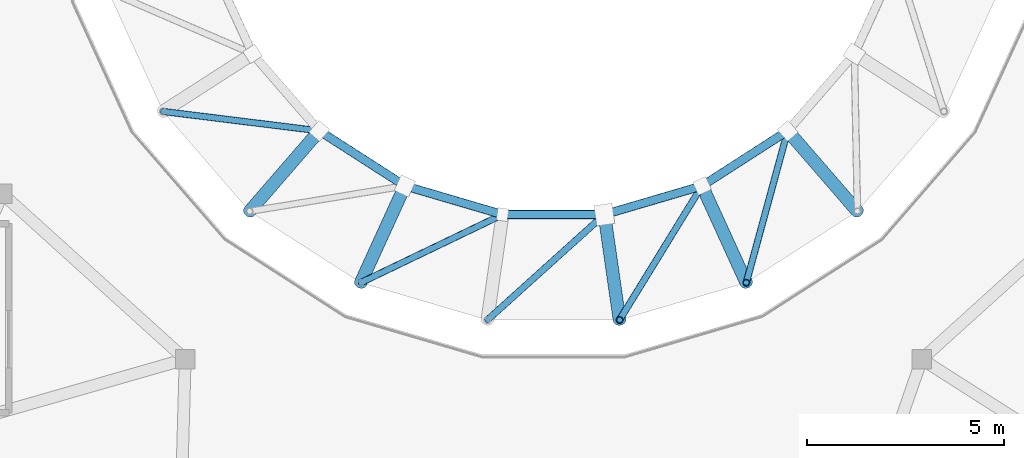
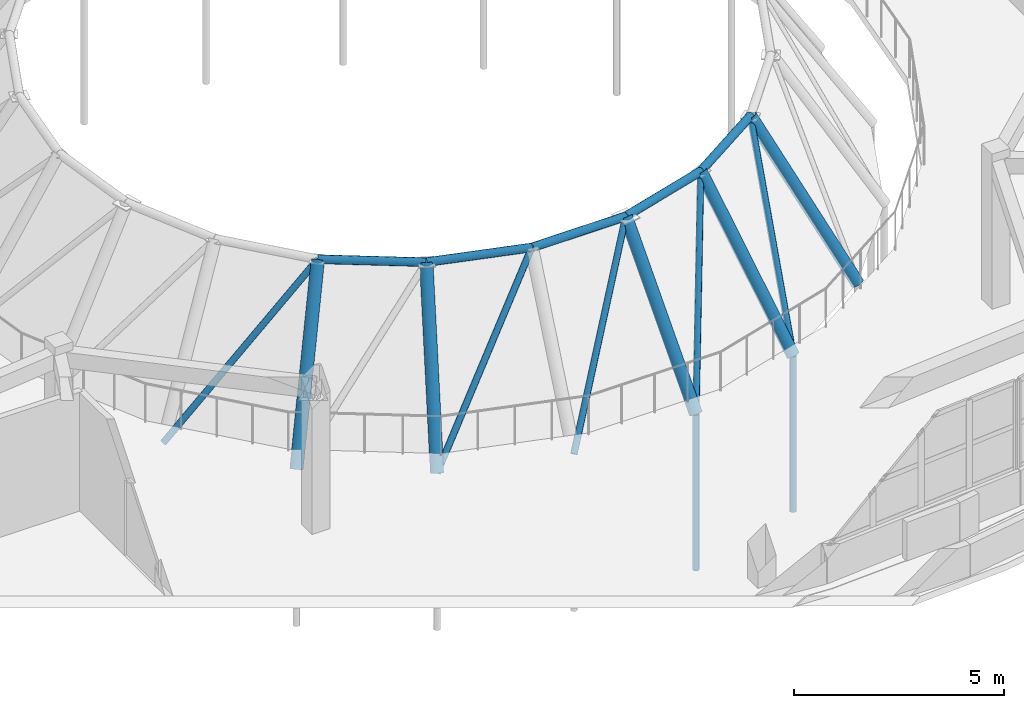
# One storey, part 7 of 38: 10 beams, 7 members.
"""IFC4 building model written with IfcOpenShell, lengths in metres."""

from ifc_helpers import new_model, si_unit, direction, frame, origin, origin_2d, place, context, subcontext, project, spatial, hollow_circle, extrude, material, material_profile, profile_set, type_object, element, save


model = new_model("IFC4")

# Units and contexts
model_context = context("Model", 3, precision=1e-05, world=origin(), true_north=direction((0.0, 1.0)))
body_context = subcontext(model_context, "Body", "Model", "MODEL_VIEW")
ifc_project = project(units=[si_unit("LENGTHUNIT", "METRE"), si_unit("AREAUNIT", "SQUARE_METRE"), si_unit("VOLUMEUNIT", "CUBIC_METRE"), si_unit("PLANEANGLEUNIT", "RADIAN"), si_unit("MASSUNIT", "GRAM", prefix="KILO")], contexts=[model_context])

# Site, building, storey
site_placement = place(None, origin())
site = spatial("IfcSite", under=ifc_project, at=site_placement, CompositionType="ELEMENT")
building_placement = place(site_placement, origin())
building = spatial("IfcBuilding", under=site, at=building_placement, Name="Pelvatis Terrace Science Centre", CompositionType="ELEMENT")
storey_placement = place(building_placement, frame((0.0, 0.0, 24.300048828125)))
storey = spatial("IfcBuildingStorey", under=building, at=storey_placement, Name="L05", CompositionType="ELEMENT", Elevation=24.300048828125)

# Beams
ifc_material_1 = material(Name="Structural steel S355", Category="steel")
ifc_material_profile_1 = material_profile(ifc_material_1, hollow_circle(Radius=0.161865234375, WallThickness=0.012451171875, at=origin_2d()), Name="CHS 323.9x12.5")
ifc_profile_set_1 = profile_set([ifc_material_profile_1], Name="Structural steel S355")
beam_type_1 = type_object("IfcBeamType", Name="BM-DOME-CHS324", PredefinedType="BEAM", material=ifc_profile_set_1)
for number, where, z_axis, x_axis, name in (
    (1, (101.496826171875, 76.909912109375, -1.1845703125), (0.351860631876, 0.406090222426, 0.843377037265), (-0.755766658922, 0.654841016783, 0.0), "Planetarium meridional dome rib 15.2"),
    (2, (104.3134765625, 75.099853515625, -1.1845703125), (0.223190134696, 0.488753837313, 0.843389500934), (-0.909643433065, 0.415389966998, 0.0), "Planetarium meridional dome rib 16.2"),
    (3, (110.8740234375, 74.156494140625, -1.1845703125), (-0.076436887554, 0.531851070741, 0.843381195411), (-0.989829764519, -0.142256941031, 0.0), "Planetarium meridional dome rib 18.2"),
    (4, (114.086669921875, 75.099853515625, -1.1845703125), (-0.223236306856, 0.488748535994, 0.843380353023), (-0.909609257984, -0.415464797293, 0.0), "Planetarium meridional dome rib 19.2"),
    (5, (116.9033203125, 76.909912109375, -1.1845703125), (-0.351860631876, 0.406090222426, 0.843377037265), (-0.755766658922, -0.654841016783, 0.0), "Planetarium meridional dome rib 20.2"),
):
    element("IfcBeam", number, at=place(storey_placement, frame(where, z_axis=z_axis, x_axis=x_axis)), inside=storey, type_object=beam_type_1, Name=name, PredefinedType="BEAM", context=body_context, shape_type="SweptSolid", body=[
        extrude(hollow_circle(Radius=0.161865234375, WallThickness=0.012451171875, at=origin_2d()), origin(), (0.0, 0.0, 1.0), 5.024169921875),
    ])
ifc_material_2 = material(Name="Structural steel S355", Category="steel")
ifc_material_profile_2 = material_profile(ifc_material_2, hollow_circle(Radius=0.109619140625, WallThickness=0.008056640625, at=origin_2d()), Name="CHS 219.1x8.0")
ifc_profile_set_2 = profile_set([ifc_material_profile_2], Name="Structural steel S355")
beam_type_2 = type_object("IfcBeamType", Name="BM-HOOP-CHS219", PredefinedType="BEAM", material=ifc_profile_set_2)
for number, where, z_axis, x_axis, name in (
    (6, (103.2646484375, 78.9501953125, 3.052734375), (0.841236893184, -0.540666708376, 0.0), (0.540666708376, 0.841236893184, 0.0), "Planetarium dome hoop ring 3.15"),
    (7, (105.434814453125, 77.555419921875, 3.052734375), (0.959494994835, -0.281725673106, 0.0), (0.281725673106, 0.959494994835, 0.0), "Planetarium dome hoop ring 3.16"),
    (8, (107.91015625, 76.82861328125, 3.052734375), (1.0, 0.0, 0.0), (0.0, 1.0, 0.0), "Planetarium dome hoop ring 3.17"),
):
    element("IfcBeam", number, at=place(storey_placement, frame(where, z_axis=z_axis, x_axis=x_axis)), inside=storey, type_object=beam_type_2, Name=name, PredefinedType="BEAM", context=body_context, shape_type="SweptSolid", body=[
        extrude(hollow_circle(Radius=0.109619140625, WallThickness=0.008056640625, at=origin_2d()), origin(), (0.0, 0.0, 1.0), 2.579833984375),
    ])
beam_1_placement = place(storey_placement, frame((110.489990234375, 76.82861328125, 3.052734375), z_axis=(0.959487482765, 0.281751256283, 0.0), x_axis=(-0.281751256283, 0.959487482765, 0.0)))
element("IfcBeam", 9, at=beam_1_placement, inside=storey, type_object=beam_type_2, Name="Planetarium dome hoop ring 3.18", PredefinedType="BEAM", context=body_context, shape_type="SweptSolid", body=[
    extrude(hollow_circle(Radius=0.109619140625, WallThickness=0.008056640625, at=origin_2d()), origin(), (0.0, 0.0, 1.0), 2.57958984375),
])
beam_2_placement = place(storey_placement, frame((112.965087890625, 77.555419921875, 3.052734375), z_axis=(0.841264554497, 0.540623667024, 0.0), x_axis=(-0.540623667024, 0.841264554497, 0.0)))
element("IfcBeam", 10, at=beam_2_placement, inside=storey, type_object=beam_type_2, Name="Planetarium dome hoop ring 3.19", PredefinedType="BEAM", context=body_context, shape_type="SweptSolid", body=[
    extrude(hollow_circle(Radius=0.109619140625, WallThickness=0.008056640625, at=origin_2d()), origin(), (0.0, 0.0, 1.0), 2.579833984375),
])

# Members
ifc_material_3 = material(Name="Structural steel S355", Category="steel")
ifc_material_profile_3 = material_profile(ifc_material_3, hollow_circle(Radius=0.084228515625, WallThickness=0.00634765625, at=origin_2d()), Name="CHS 168.3x6.3")
ifc_profile_set_3 = profile_set([ifc_material_profile_3], Name="Structural steel S355")
member_type_1 = type_object("IfcMemberType", Name="MEM-BRC-CHS168", PredefinedType="BRACE", material=ifc_profile_set_3)
for number, where, z_axis, x_axis, name in (
    (11, (99.30419921875, 79.4404296875, -1.1845703125), (0.680410830496, -0.08422296558, 0.727974995321), (0.122844973011, 0.9924258726, 0.0), "Planetarium dome lateral brace 2.14"),
    (12, (104.3134765625, 75.099853515625, -1.1845703125), (0.617921751679, 0.297006782761, 0.727983296371), (-0.433210336769, 0.901292851473, 0.0), "Planetarium dome lateral brace 2.16"),
):
    element("IfcMember", number, at=place(storey_placement, frame(where, z_axis=z_axis, x_axis=x_axis)), inside=storey, type_object=member_type_1, Name=name, PredefinedType="BRACE", context=body_context, shape_type="SweptSolid", body=[
        extrude(hollow_circle(Radius=0.084228515625, WallThickness=0.00634765625, at=origin_2d()), origin(), (0.0, 0.0, 1.0), 5.820556640625),
    ])
member_placement = place(storey_placement, frame((107.52587890625, 74.156494140625, -1.1845703125), z_axis=(0.509233381047, 0.459069216338, 0.727967594222), x_axis=(-0.669576269565, 0.742743306422, 0.0)))
element("IfcMember", 13, at=member_placement, inside=storey, type_object=member_type_1, Name="Planetarium dome lateral brace 2.17", PredefinedType="BRACE", context=body_context, shape_type="SweptSolid", body=[
    extrude(hollow_circle(Radius=0.084228515625, WallThickness=0.00634765625, at=origin_2d()), origin(), (0.0, 0.0, 1.0), 5.82080078125),
])
for number, where, z_axis, x_axis, name in (
    (14, (110.8740234375, 74.156494140625, -1.1845703125), (0.359249135024, 0.583942376859, 0.727977581724), (-0.851723426882, 0.523991606899, 0.0), "Planetarium dome lateral brace 2.18"),
    (15, (114.086669921875, 75.099853515625, -1.1845703125), (0.180191008028, 0.661497296929, 0.727978383457), (-0.964844249217, 0.262822325448, 0.0), "Planetarium dome lateral brace 2.19"),
):
    element("IfcMember", number, at=place(storey_placement, frame(where, z_axis=z_axis, x_axis=x_axis)), inside=storey, type_object=member_type_1, Name=name, PredefinedType="BRACE", context=body_context, shape_type="SweptSolid", body=[
        extrude(hollow_circle(Radius=0.084228515625, WallThickness=0.00634765625, at=origin_2d()), origin(), (0.0, 0.0, 1.0), 5.820556640625),
    ])
ifc_material_4 = material(Name="Structural steel S355", Category="steel")
ifc_material_profile_4 = material_profile(ifc_material_4, hollow_circle(Radius=0.084228515625, WallThickness=0.00634765625, at=origin_2d()), Name="CHS 168.3x6.3")
ifc_profile_set_4 = profile_set([ifc_material_profile_4], Name="Structural steel S355")
member_type_2 = type_object("IfcMemberType", Name="MEM-STR-CHS168", PredefinedType="STRUT", material=ifc_profile_set_4)
for number, where, z_axis, x_axis, name in (
    (16, (110.8740234375, 74.156494140625, -5.699951171875), (0.0, 0.0, 1.0), (1.0, 0.0, 0.0), "Dome arch vertical web post 1.18"),
    (17, (114.086669921875, 75.099853515625, -5.699951171875), (0.0, 0.0, 1.0), (1.0, 0.0, 0.0), "Dome arch vertical web post 1.19"),
):
    element("IfcMember", number, at=place(storey_placement, frame(where, z_axis=z_axis, x_axis=x_axis)), inside=storey, type_object=member_type_2, Name=name, PredefinedType="STRUT", context=body_context, shape_type="SweptSolid", body=[
        extrude(hollow_circle(Radius=0.084228515625, WallThickness=0.00634765625, at=origin_2d()), origin(), (0.0, 0.0, 1.0), 4.515380859375),
    ])

save(model, "model.ifc")
